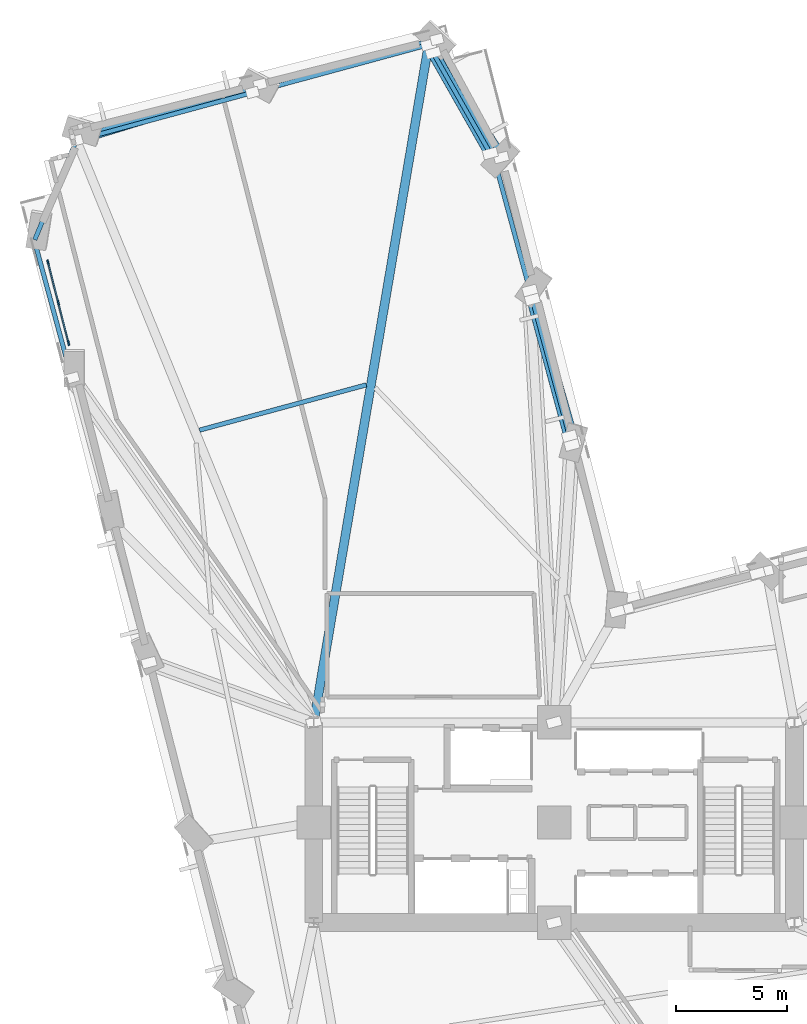
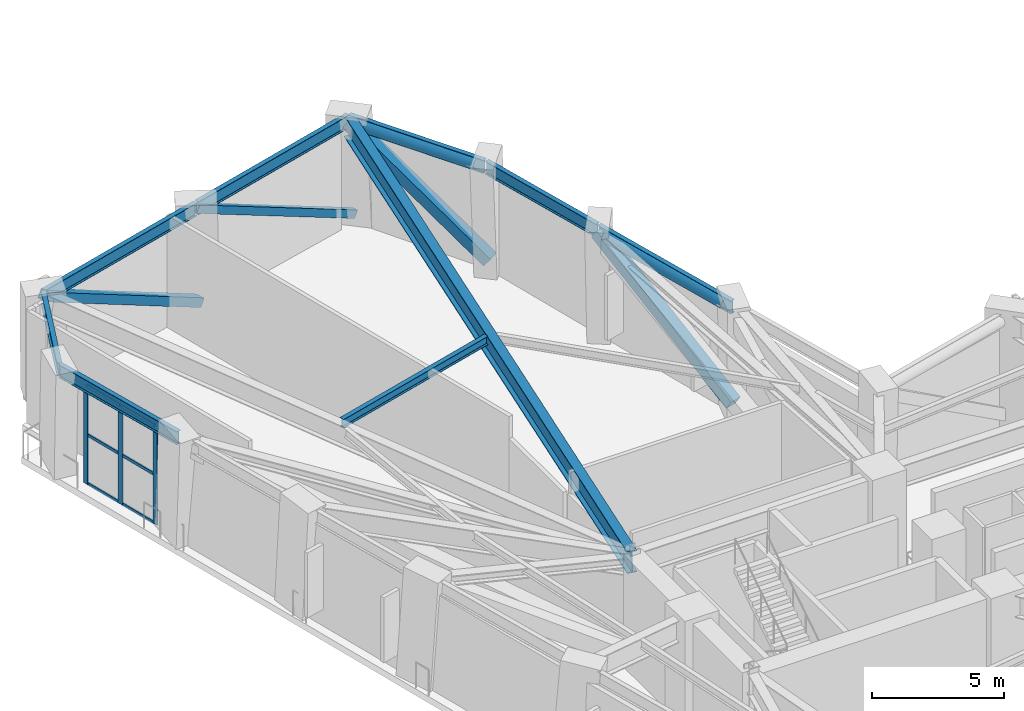
# One storey, part 5 of 17: 15 members, 9 beams, 1 element without a shape of its own.
"""IFC4 building model written with IfcOpenShell, lengths in metres."""

import ifcopenshell
import ifcopenshell.guid

model = None  # the IFC model being written
_history = None  # IfcOwnerHistory: only IFC2X3 demands one
_inside = {}  # id of a spatial element -> (the spatial element, [elements in it])
_under = {}  # id of a project, library or spatial element -> (it, [spatial elements below it])
_declared = {}  # id of a project -> (the project, [libraries it declares])
_typed = {}  # id of a type object -> (the type object, [elements of that type])
_made_of = {}  # id of a material, layer set ... -> (it, [elements and type objects made of it])


def new_model(schema):
    """Start an empty IFC model of exactly this schema.

    Asked for "IFC4X3", IfcOpenShell would pick the latest addendum, in which some entities
    have other attributes; the version numbers below select the first issue.
    IFC2X3 requires an IfcOwnerHistory on every rooted entity: one is made here for all.
    """
    global model, _history
    if schema == "IFC4X3":
        model = ifcopenshell.file(schema_version=(4, 3, 0, 0))
    else:
        model = ifcopenshell.file(schema=schema)
    _inside.clear()
    _under.clear()
    _declared.clear()
    _typed.clear()
    _made_of.clear()
    _history = None
    if model.schema == "IFC2X3":
        org = make("IfcOrganization", Name="unknown")
        user = make(
            "IfcPersonAndOrganization",
            ThePerson=make("IfcPerson", FamilyName="unknown"),
            TheOrganization=org,
        )
        app = make(
            "IfcApplication",
            ApplicationDeveloper=org,
            Version="unknown",
            ApplicationFullName="unknown",
            ApplicationIdentifier="unknown",
        )
        _history = make(
            "IfcOwnerHistory",
            OwningUser=user,
            OwningApplication=app,
            ChangeAction="ADDED",
            CreationDate=0,
        )
    return model


def make(cls, **values):
    """One entity of the class cls with the attributes given. An attribute that is None is left unset."""
    return model.create_entity(
        cls, **{name: value for name, value in values.items() if value is not None}
    )


def rooted(cls, **values):
    """An entity with a GlobalId (a new one), such as an element, a storey or a relation."""
    return make(cls, GlobalId=ifcopenshell.guid.new(), OwnerHistory=_history, **values)


def si_unit(unit_type, name, prefix=None):
    """IfcSIUnit, for example si_unit("LENGTHUNIT", "METRE", prefix="MILLI")."""
    return make("IfcSIUnit", UnitType=unit_type, Prefix=prefix, Name=name)


def assignment(units):
    """IfcUnitAssignment: the units of a project."""
    return None if units is None else make("IfcUnitAssignment", Units=units)


def point(xyz):
    """IfcCartesianPoint."""
    return None if xyz is None else make("IfcCartesianPoint", Coordinates=xyz)


def direction(xyz):
    """IfcDirection."""
    return None if xyz is None else make("IfcDirection", DirectionRatios=xyz)


def frame(location, z_axis=None, x_axis=None):
    """IfcAxis2Placement3D, a coordinate frame: its origin and axes. An axis left out is left unset."""
    return make(
        "IfcAxis2Placement3D",
        Location=point(location),
        Axis=direction(z_axis),
        RefDirection=direction(x_axis),
    )


def frame_2d(location, x_axis=None):
    """IfcAxis2Placement2D, a coordinate frame in the plane: its origin and x axis."""
    return make(
        "IfcAxis2Placement2D", Location=point(location), RefDirection=direction(x_axis)
    )


def origin():
    """The frame at (0, 0, 0) with its axes left unset."""
    return frame((0.0, 0.0, 0.0))


def origin_2d():
    """The frame at (0, 0) in the plane with its x axis left unset."""
    return frame_2d((0.0, 0.0))


def place(relative_to, where):
    """IfcLocalPlacement: puts the frame where relative to a parent placement (None: the world)."""
    return make(
        "IfcLocalPlacement", PlacementRelTo=relative_to, RelativePlacement=where
    )


def context(
    kind, dimensions, precision=None, world=None, true_north=None, identifier=None
):
    """IfcGeometricRepresentationContext, for example the 3D "Model" context."""
    return make(
        "IfcGeometricRepresentationContext",
        ContextIdentifier=identifier,
        ContextType=kind,
        CoordinateSpaceDimension=dimensions,
        Precision=precision,
        WorldCoordinateSystem=world,
        TrueNorth=true_north,
    )


def subcontext(parent, identifier, kind, view, scale=None):
    """IfcGeometricRepresentationSubContext, for example "Body" below "Model"."""
    return make(
        "IfcGeometricRepresentationSubContext",
        ContextIdentifier=identifier,
        ContextType=kind,
        ParentContext=parent,
        TargetScale=scale,
        TargetView=view,
    )


def project(units=None, contexts=None):
    """IfcProject with its units and contexts."""
    return rooted(
        "IfcProject",
        Name="project",
        RepresentationContexts=contexts,
        UnitsInContext=assignment(units),
    )


def spatial(cls, under=None, at=None, **own):
    """A site, building, storey or space (cls), placed at a placement, below another one or the project."""
    s = rooted(cls, ObjectPlacement=at, **own)
    if under is not None:
        _under.setdefault(under.id(), (under, []))[1].append(s)
    return s


def profile(cls, at=None, kind="AREA", **sizes):
    """A parametric profile (cls). Its sizes go by their IFC names, for example OverallWidth=200.0."""
    return make(cls, ProfileType=kind, Position=at, **sizes)


def rectangle(**sizes):
    """IfcRectangleProfileDef."""
    return profile("IfcRectangleProfileDef", **sizes)


def hollow_rectangle(**sizes):
    """IfcRectangleHollowProfileDef."""
    return profile("IfcRectangleHollowProfileDef", **sizes)


def hollow_circle(**sizes):
    """IfcCircleHollowProfileDef."""
    return profile("IfcCircleHollowProfileDef", **sizes)


def i_section(**sizes):
    """IfcIShapeProfileDef."""
    return profile("IfcIShapeProfileDef", **sizes)


def extrude(swept, where, along, depth):
    """IfcExtrudedAreaSolid: the profile swept, set in the frame where, extruded along a direction by depth."""
    return make(
        "IfcExtrudedAreaSolid",
        SweptArea=swept,
        Position=where,
        ExtrudedDirection=direction(along),
        Depth=depth,
    )


def shape(context_of_items, identifier, shape_type, items):
    """IfcShapeRepresentation: the items that make up one representation, for example the "Body"."""
    return make(
        "IfcShapeRepresentation",
        ContextOfItems=context_of_items,
        RepresentationIdentifier=identifier,
        RepresentationType=shape_type,
        Items=items,
    )


def material(Name=None, Category=None):
    """IfcMaterial."""
    return make("IfcMaterial", Name=Name, Category=Category)


def material_profile(
    of_material, cross_section, Name=None, Category=None, Priority=None
):
    """IfcMaterialProfile: a cross section and its material."""
    return make(
        "IfcMaterialProfile",
        Name=Name,
        Material=of_material,
        Profile=cross_section,
        Priority=Priority,
        Category=Category,
    )


def profile_set(profiles, Name=None, composite=None):
    """IfcMaterialProfileSet."""
    return make(
        "IfcMaterialProfileSet",
        Name=Name,
        MaterialProfiles=profiles,
        CompositeProfile=composite,
    )


def made_of(thing, what):
    """Note that an element or type object is made of a material, layer set ...; save() writes the relation."""
    if what is not None:
        _made_of.setdefault(what.id(), (what, []))[1].append(thing)
    return thing


def type_object(cls, material=None, **own):
    """A type object (cls), such as IfcWallType, which elements share."""
    return made_of(rooted(cls, **own), material)


def element(
    cls,
    number,
    at=None,
    inside=None,
    cuts=None,
    type_object=None,
    material=None,
    context=None,
    identifier="Body",
    shape_type=None,
    held_by="IfcProductDefinitionShape",
    body=None,
    shapes=None,
    **own,
):
    """One element of the class cls, such as IfcWall. Its Tag is "e" and its number.

    at: its placement. inside: the storey or other place that contains it. cuts: it is an
    opening in that element (IfcRelVoidsElement). A single representation is given by context,
    identifier, shape_type and body (its items); several are given by shapes. held_by: the class
    of the entity that holds the representations. save() writes the other relations.
    """
    e = rooted(cls, Tag="e%d" % number, ObjectPlacement=at, **own)
    if body is not None:
        shapes = [shape(context, identifier, shape_type, body)]
    if shapes is not None:
        e.Representation = make(held_by, Representations=shapes)
    if inside is not None:
        _inside.setdefault(inside.id(), (inside, []))[1].append(e)
    if cuts is not None:
        rooted(
            "IfcRelVoidsElement", RelatingBuildingElement=cuts, RelatedOpeningElement=e
        )
    if type_object is not None:
        _typed.setdefault(type_object.id(), (type_object, []))[1].append(e)
    return made_of(e, material)


def aggregate(whole, parts):
    """IfcRelAggregates: a whole, such as a stair, and the parts it consists of."""
    return rooted("IfcRelAggregates", RelatingObject=whole, RelatedObjects=parts)


def save(model, path):
    """Write the relations noted so far, then the file.

    IfcRelAggregates (storeys below a building ...), IfcRelContainedInSpatialStructure (elements
    in a storey), IfcRelDefinesByType, IfcRelAssociatesMaterial and IfcRelDeclares: one each for
    every whole, place, type object, material and project.
    """
    for whole, parts in _under.values():
        aggregate(whole, parts)
    for where, things in _inside.values():
        rooted(
            "IfcRelContainedInSpatialStructure",
            RelatedElements=things,
            RelatingStructure=where,
        )
    for kind, things in _typed.values():
        rooted("IfcRelDefinesByType", RelatedObjects=things, RelatingType=kind)
    for what, things in _made_of.values():
        rooted("IfcRelAssociatesMaterial", RelatedObjects=things, RelatingMaterial=what)
    for by, libraries in _declared.values():
        rooted("IfcRelDeclares", RelatingContext=by, RelatedDefinitions=libraries)
    model.write(path)


model = new_model("IFC4")

# Units and contexts
model_context = context("Model", 3, precision=1e-05, world=origin(), true_north=direction((0.0, 1.0)))
body_context = subcontext(model_context, "Body", "Model", "MODEL_VIEW")
ifc_project = project(units=[si_unit("LENGTHUNIT", "METRE"), si_unit("AREAUNIT", "SQUARE_METRE"), si_unit("VOLUMEUNIT", "CUBIC_METRE"), si_unit("PLANEANGLEUNIT", "RADIAN"), si_unit("MASSUNIT", "GRAM", prefix="KILO")], contexts=[model_context])

# Site, building, storey
site_placement = place(None, origin())
site = spatial("IfcSite", under=ifc_project, at=site_placement, CompositionType="ELEMENT")
building_placement = place(site_placement, origin())
building = spatial("IfcBuilding", under=site, at=building_placement, Name="Gaonmaruhae Medical Tower", CompositionType="ELEMENT")
storey_placement = place(building_placement, frame((0.0, 0.0, 83.0)))
storey = spatial("IfcBuildingStorey", under=building, at=storey_placement, Name="L19", CompositionType="ELEMENT", Elevation=83.0)

# Beam
ifc_material_1 = material(Name="Steel SM420", Category="steel")
ifc_material_profile_1 = material_profile(ifc_material_1, i_section(OverallWidth=0.39990234375, OverallDepth=1.0, WebThickness=0.02197265625, FlangeThickness=0.035888671875, at=origin_2d()), Name="BH-1000x400x22x36")
ifc_profile_set_1 = profile_set([ifc_material_profile_1], Name="Steel SM420")
beam_type_1 = type_object("IfcBeamType", Name="BG-02 Refuge Floor Primary Girder (BH-1000x400x22x36)", PredefinedType="BEAM", material=ifc_profile_set_1)
beam_1_placement = place(storey_placement, frame((14.00830078125, 16.849365234375, 4.679931640625), z_axis=(0.167051649418, 0.985948145912, 0.0), x_axis=(-0.985948145912, 0.167051649418, 0.0)))
element("IfcBeam", 1, at=beam_1_placement, inside=storey, type_object=beam_type_1, Name="L19 Radial Primary Girder N01", PredefinedType="BEAM", context=body_context, shape_type="SweptSolid", body=[
    extrude(i_section(OverallWidth=0.39990234375, OverallDepth=1.0, WebThickness=0.02197265625, FlangeThickness=0.035888671875, at=origin_2d()), origin(), (0.0, 0.0, 1.0), 30.782958984375),
])

# Members
ifc_material_2 = material(Name="Steel HSA650 (650 MPa)", Category="steel")
ifc_material_profile_2 = material_profile(ifc_material_2, hollow_circle(Radius=0.25390625, WallThickness=0.01611328125, at=origin_2d()), Name="CHS-508.0x16.0")
ifc_profile_set_2 = profile_set([ifc_material_profile_2], Name="Steel HSA650 (650 MPa)")
member_type_1 = type_object("IfcMemberType", Name="BT-C1 Belt Truss Perimeter Chord (CHS-508.0x16.0)", PredefinedType="CHORD", material=ifc_profile_set_2)
member_1_placement = place(storey_placement, frame((25.490966796875, 29.6640625, 4.830078125), z_axis=(-0.262185062841, 0.965017612701, 0.0), x_axis=(-0.965017612701, -0.262185062841, 0.0)))
element("IfcMember", 2, at=member_1_placement, inside=storey, type_object=member_type_1, Name="L19 Belt Truss Top Chord BTC07", PredefinedType="CHORD", context=body_context, shape_type="SweptSolid", body=[
    extrude(hollow_circle(Radius=0.25390625, WallThickness=0.01611328125, at=origin_2d()), origin(), (0.0, 0.0, 1.0), 6.35986328125),
])
member_2_placement = place(storey_placement, frame((21.932861328125, 42.3623046875, 4.830078125), z_axis=(-0.493664072511, 0.869652679816, 0.0), x_axis=(-0.869652679816, -0.493664072511, 0.0)))
element("IfcMember", 3, at=member_2_placement, inside=storey, type_object=member_type_1, Name="L19 Belt Truss Top Chord BTC08", PredefinedType="CHORD", context=body_context, shape_type="SweptSolid", body=[
    extrude(hollow_circle(Radius=0.25390625, WallThickness=0.01611328125, at=origin_2d()), origin(), (0.0, 0.0, 1.0), 5.19921875),
])
ifc_material_profile_3 = material_profile(ifc_material_2, hollow_rectangle(XDim=0.5, YDim=0.5, WallThickness=0.02197265625, at=origin_2d()), Name="RHS-500x500x22")
ifc_profile_set_3 = profile_set([ifc_material_profile_3], Name="Steel HSA650 (650 MPa)")
member_type_2 = type_object("IfcMemberType", Name="BT-D1 Belt Truss Diagonal Heavy (RHS-500x500x22)", PredefinedType="BRACE", material=ifc_profile_set_3)
member_3_placement = place(storey_placement, frame((25.67626953125, 29.390869140625, 0.35009765625), z_axis=(-0.233976247111, 0.812456326722, 0.53401295205), x_axis=(-0.96094512714, -0.276738979232, 0.0)))
element("IfcMember", 4, at=member_3_placement, inside=storey, type_object=member_type_2, Name="L19 Belt Truss Diagonal BTD07", PredefinedType="BRACE", context=body_context, shape_type="SweptSolid", body=[
    extrude(hollow_rectangle(XDim=0.5, YDim=0.5, WallThickness=0.02197265625, at=origin_2d()), origin(), (0.0, 0.0, 1.0), 8.38916015625),
])
member_4_placement = place(storey_placement, frame((22.427001953125, 42.1845703125, 0.35009765625), z_axis=(-0.435165565168, 0.674366837281, 0.596540274976), x_axis=(-0.840245454613, -0.542206211697, 0.0)))
element("IfcMember", 5, at=member_4_placement, inside=storey, type_object=member_type_2, Name="L19 Belt Truss Diagonal BTD08", PredefinedType="BRACE", context=body_context, shape_type="SweptSolid", body=[
    extrude(hollow_rectangle(XDim=0.5, YDim=0.5, WallThickness=0.02197265625, at=origin_2d()), origin(), (0.0, 0.0, 1.0), 7.510009765625),
])

# Curtain wall, members
ifc_material_3 = material(Name="Anodised aluminium and Low-E double glazing", Category="aluminium")
curtain_wall_type = type_object("IfcCurtainWallType", Name="CW-S2 Express Sky Lobby Feature Curtain Wall", PredefinedType="NOTDEFINED", material=ifc_material_3)
curtain_wall_placement = place(storey_placement, origin())
curtain_wall = element("IfcCurtainWall", 6, at=curtain_wall_placement, inside=storey, type_object=curtain_wall_type, Name="L19 Curtain Wall CW-L19-W01", PredefinedType="NOTDEFINED")
ifc_material_4 = material(Name="Anodised aluminium 6063-T6", Category="aluminium")
ifc_material_profile_4 = material_profile(ifc_material_4, rectangle(XDim=0.074951171875, YDim=0.219970703125, at=origin_2d()), Name="CWM-75x220")
ifc_profile_set_4 = profile_set([ifc_material_profile_4], Name="Anodised aluminium 6063-T6")
member_type_3 = type_object("IfcMemberType", Name="CWM-1 Heavy Atrium Curtain Wall Mullion (CWM-75x220)", PredefinedType="MULLION", material=ifc_profile_set_4)
member_5_placement = place(storey_placement, frame((2.982177734375, 33.84228515625, 0.0), z_axis=(0.0, 0.0, 1.0), x_axis=(-0.969235426145, -0.246135508828, 0.0)))
member_5 = element("IfcMember", 7, at=member_5_placement, type_object=member_type_3, Name="CW-S2 mullion 1", PredefinedType="MULLION", context=body_context, shape_type="SweptSolid", body=[
    extrude(rectangle(XDim=0.074951171875, YDim=0.219970703125, at=origin_2d()), origin(), (0.0, 0.0, 1.0), 4.56494140625),
])
member_6_placement = place(storey_placement, frame((2.52099609375, 35.658203125, 0.0), z_axis=(0.0, 0.0, 1.0), x_axis=(-0.969235426145, -0.246135508828, 0.0)))
member_6 = element("IfcMember", 8, at=member_6_placement, type_object=member_type_3, Name="CW-S2 mullion 2", PredefinedType="MULLION", context=body_context, shape_type="SweptSolid", body=[
    extrude(rectangle(XDim=0.074951171875, YDim=0.219970703125, at=origin_2d()), origin(), (0.0, 0.0, 1.0), 4.56494140625),
])
member_7_placement = place(storey_placement, frame((2.059814453125, 37.473876953125, 0.0), z_axis=(0.0, 0.0, 1.0), x_axis=(-0.969235426145, -0.246135508828, 0.0)))
member_7 = element("IfcMember", 9, at=member_7_placement, type_object=member_type_3, Name="CW-S2 mullion 3", PredefinedType="MULLION", context=body_context, shape_type="SweptSolid", body=[
    extrude(rectangle(XDim=0.074951171875, YDim=0.219970703125, at=origin_2d()), origin(), (0.0, 0.0, 1.0), 4.56494140625),
])
ifc_material_profile_5 = material_profile(ifc_material_4, rectangle(XDim=0.06494140625, YDim=0.139892578125, at=origin_2d()), Name="CWT-65x140")
ifc_profile_set_5 = profile_set([ifc_material_profile_5], Name="Anodised aluminium 6063-T6")
member_type_4 = type_object("IfcMemberType", Name="CWT-2 Tower Feature Curtain Wall Transom (CWT-65x140)", PredefinedType="USERDEFINED", material=ifc_profile_set_5)
member_8_placement = place(storey_placement, frame((2.972900390625, 33.878662109375, 0.032470703125), z_axis=(-0.246111338282, 0.969241563889, 0.0), x_axis=(-0.969241563889, -0.246111338282, 0.0)))
member_8 = element("IfcMember", 10, at=member_8_placement, type_object=member_type_4, Name="CW-S2 transom 1.1", ObjectType="TRANSOM", PredefinedType="USERDEFINED", context=body_context, shape_type="SweptSolid", body=[
    extrude(rectangle(XDim=0.06494140625, YDim=0.139892578125, at=origin_2d()), origin(), (0.0, 0.0, 1.0), 1.798583984375),
])
member_9_placement = place(storey_placement, frame((2.972900390625, 33.878662109375, 2.282470703125), z_axis=(-0.246111338282, 0.969241563889, 0.0), x_axis=(-0.969241563889, -0.246111338282, 0.0)))
member_9 = element("IfcMember", 11, at=member_9_placement, type_object=member_type_4, Name="CW-S2 transom 1.2", ObjectType="TRANSOM", PredefinedType="USERDEFINED", context=body_context, shape_type="SweptSolid", body=[
    extrude(rectangle(XDim=0.06494140625, YDim=0.139892578125, at=origin_2d()), origin(), (0.0, 0.0, 1.0), 1.798583984375),
])
member_10_placement = place(storey_placement, frame((2.972900390625, 33.878662109375, 4.532470703125), z_axis=(-0.246111338282, 0.969241563889, 0.0), x_axis=(-0.969241563889, -0.246111338282, 0.0)))
member_10 = element("IfcMember", 12, at=member_10_placement, type_object=member_type_4, Name="CW-S2 transom 1.3", ObjectType="TRANSOM", PredefinedType="USERDEFINED", context=body_context, shape_type="SweptSolid", body=[
    extrude(rectangle(XDim=0.06494140625, YDim=0.139892578125, at=origin_2d()), origin(), (0.0, 0.0, 1.0), 1.798583984375),
])
member_11_placement = place(storey_placement, frame((2.51171875, 35.694580078125, 0.032470703125), z_axis=(-0.246143723943, 0.969233339895, 0.0), x_axis=(-0.969233339895, -0.246143723943, 0.0)))
member_11 = element("IfcMember", 13, at=member_11_placement, type_object=member_type_4, Name="CW-S2 transom 2.1", ObjectType="TRANSOM", PredefinedType="USERDEFINED", context=body_context, shape_type="SweptSolid", body=[
    extrude(rectangle(XDim=0.06494140625, YDim=0.139892578125, at=origin_2d()), origin(), (0.0, 0.0, 1.0), 1.79833984375),
])
member_12_placement = place(storey_placement, frame((2.51171875, 35.694580078125, 2.282470703125), z_axis=(-0.246143723943, 0.969233339895, 0.0), x_axis=(-0.969233339895, -0.246143723943, 0.0)))
member_12 = element("IfcMember", 14, at=member_12_placement, type_object=member_type_4, Name="CW-S2 transom 2.2", ObjectType="TRANSOM", PredefinedType="USERDEFINED", context=body_context, shape_type="SweptSolid", body=[
    extrude(rectangle(XDim=0.06494140625, YDim=0.139892578125, at=origin_2d()), origin(), (0.0, 0.0, 1.0), 1.79833984375),
])
member_13_placement = place(storey_placement, frame((2.51171875, 35.694580078125, 4.532470703125), z_axis=(-0.246143723943, 0.969233339895, 0.0), x_axis=(-0.969233339895, -0.246143723943, 0.0)))
member_13 = element("IfcMember", 15, at=member_13_placement, type_object=member_type_4, Name="CW-S2 transom 2.3", ObjectType="TRANSOM", PredefinedType="USERDEFINED", context=body_context, shape_type="SweptSolid", body=[
    extrude(rectangle(XDim=0.06494140625, YDim=0.139892578125, at=origin_2d()), origin(), (0.0, 0.0, 1.0), 1.79833984375),
])
aggregate(curtain_wall, [member_5, member_6, member_7, member_8, member_9, member_10, member_11, member_12, member_13])

# Beam
ifc_material_5 = material(Name="Steel SM355", Category="steel")
ifc_material_profile_6 = material_profile(ifc_material_5, i_section(OverallWidth=0.199951171875, OverallDepth=0.39990234375, WebThickness=0.008056640625, FlangeThickness=0.012939453125, FilletRadius=0.012939453125, at=origin_2d()), Name="H-400x200x8x13")
ifc_profile_set_6 = profile_set([ifc_material_profile_6], Name="Steel SM355")
beam_type_2 = type_object("IfcBeamType", Name="FJ-01 Lower Zone Ward Floor Joist (H-400x200x8x13)", PredefinedType="JOIST", material=ifc_profile_set_6)
beam_2_placement = place(storey_placement, frame((16.361083984375, 31.965087890625, 4.97998046875), z_axis=(-0.965020169079, -0.262175653467, 0.0), x_axis=(0.262175653467, -0.965020169079, 0.0)))
element("IfcBeam", 16, at=beam_2_placement, inside=storey, type_object=beam_type_2, Name="L19 Secondary Floor Joist FJ09", PredefinedType="JOIST", context=body_context, shape_type="SweptSolid", body=[
    extrude(i_section(OverallWidth=0.199951171875, OverallDepth=0.39990234375, WebThickness=0.008056640625, FlangeThickness=0.012939453125, FilletRadius=0.012939453125, at=origin_2d()), origin(), (0.0, 0.0, 1.0), 7.766357421875),
])

# Member
ifc_material_profile_7 = material_profile(ifc_material_1, hollow_rectangle(XDim=0.39990234375, YDim=0.39990234375, WallThickness=0.01611328125, at=origin_2d()), Name="RHS-400x400x16")
ifc_profile_set_7 = profile_set([ifc_material_profile_7], Name="Steel SM420")
member_type_5 = type_object("IfcMemberType", Name="PB-01 Perimeter Solid-Bay Tube Brace Lower (RHS-400x400x16)", PredefinedType="BRACE", material=ifc_profile_set_7)
member_14_placement = place(storey_placement, frame((11.58544921875, 45.467041015625, 0.25), z_axis=(-0.840770941917, -0.256504281268, 0.476770151036), x_axis=(0.291804449404, -0.956477999385, 0.0)))
element("IfcMember", 17, at=member_14_placement, inside=storey, type_object=member_type_5, Name="L19 Perimeter Tube Solid-Bay Brace N02-N03", PredefinedType="BRACE", context=body_context, shape_type="SweptSolid", body=[
    extrude(hollow_rectangle(XDim=0.39990234375, YDim=0.39990234375, WallThickness=0.01611328125, at=origin_2d()), origin(), (0.0, 0.0, 1.0), 9.81591796875),
])

# Beams
ifc_material_profile_8 = material_profile(ifc_material_5, i_section(OverallWidth=0.199951171875, OverallDepth=0.60009765625, WebThickness=0.010986328125, FlangeThickness=0.01708984375, FilletRadius=0.012939453125, at=origin_2d()), Name="H-600x200x11x17")
ifc_profile_set_8 = profile_set([ifc_material_profile_8], Name="Steel SM355")
beam_type_3 = type_object("IfcBeamType", Name="SP-01 Lower Perimeter Spandrel Beam (H-600x200x11x17)", PredefinedType="SPANDREL", material=ifc_profile_set_8)
beam_3_placement = place(storey_placement, frame((25.590576171875, 29.29736328125, 4.8798828125), z_axis=(-0.262180113958, 0.965018957247, 0.0), x_axis=(-0.965018957247, -0.262180113958, 0.0)))
element("IfcBeam", 18, at=beam_3_placement, inside=storey, type_object=beam_type_3, Name="L19 Perimeter Spandrel Beam NE01-NE02", PredefinedType="SPANDREL", context=body_context, shape_type="SweptSolid", body=[
    extrude(i_section(OverallWidth=0.199951171875, OverallDepth=0.60009765625, WebThickness=0.010986328125, FlangeThickness=0.01708984375, FilletRadius=0.012939453125, at=origin_2d()), origin(), (0.0, 0.0, 1.0), 7.119873046875),
])
beam_4_placement = place(storey_placement, frame((23.702880859375, 36.24560546875, 4.8798828125), z_axis=(-0.262203031668, 0.965012730581, 0.0), x_axis=(-0.965012730581, -0.262203031668, 0.0)))
element("IfcBeam", 19, at=beam_4_placement, inside=storey, type_object=beam_type_3, Name="L19 Perimeter Spandrel Beam NE02-NE03", PredefinedType="SPANDREL", context=body_context, shape_type="SweptSolid", body=[
    extrude(i_section(OverallWidth=0.199951171875, OverallDepth=0.60009765625, WebThickness=0.010986328125, FlangeThickness=0.01708984375, FilletRadius=0.012939453125, at=origin_2d()), origin(), (0.0, 0.0, 1.0), 5.919921875),
])
beam_5_placement = place(storey_placement, frame((22.12060546875, 42.03173828125, 4.8798828125), z_axis=(-0.493657440826, 0.869656444303, 0.0), x_axis=(-0.869656444303, -0.493657440826, 0.0)))
element("IfcBeam", 20, at=beam_5_placement, inside=storey, type_object=beam_type_3, Name="L19 Perimeter Spandrel Beam NE03-N01", PredefinedType="SPANDREL", context=body_context, shape_type="SweptSolid", body=[
    extrude(i_section(OverallWidth=0.199951171875, OverallDepth=0.60009765625, WebThickness=0.010986328125, FlangeThickness=0.01708984375, FilletRadius=0.012939453125, at=origin_2d()), origin(), (0.0, 0.0, 1.0), 5.95947265625),
])
for number, where, z_axis, x_axis, name in (
    (21, (19.120361328125, 47.238525390625, 4.8798828125), (-0.965018702081, -0.262181053157, 0.0), (0.262181053157, -0.965018702081, 0.0), "L19 Perimeter Spandrel Beam N01-N02"),
    (22, (11.207275390625, 45.088623046875, 4.8798828125), (-0.965018702081, -0.262181053157, 0.0), (0.262181053157, -0.965018702081, 0.0), "L19 Perimeter Spandrel Beam N02-N03"),
):
    element("IfcBeam", number, at=place(storey_placement, frame(where, z_axis=z_axis, x_axis=x_axis)), inside=storey, type_object=beam_type_3, Name=name, PredefinedType="SPANDREL", context=body_context, shape_type="SweptSolid", body=[
        extrude(i_section(OverallWidth=0.199951171875, OverallDepth=0.60009765625, WebThickness=0.010986328125, FlangeThickness=0.01708984375, FilletRadius=0.012939453125, at=origin_2d()), origin(), (0.0, 0.0, 1.0), 8.119873046875),
    ])
beam_6_placement = place(storey_placement, frame((3.317138671875, 42.912353515625, 4.8798828125), z_axis=(-0.386326255312, -0.922362198085, 0.0), x_axis=(0.922362198085, -0.386326255312, 0.0)))
element("IfcBeam", 23, at=beam_6_placement, inside=storey, type_object=beam_type_3, Name="L19 Perimeter Spandrel Beam N03-W01", PredefinedType="SPANDREL", context=body_context, shape_type="SweptSolid", body=[
    extrude(i_section(OverallWidth=0.199951171875, OverallDepth=0.60009765625, WebThickness=0.010986328125, FlangeThickness=0.01708984375, FilletRadius=0.012939453125, at=origin_2d()), origin(), (0.0, 0.0, 1.0), 4.801025390625),
])
beam_7_placement = place(storey_placement, frame((1.45751953125, 38.40869140625, 4.8798828125), z_axis=(0.262182434041, -0.965018326914, 0.0), x_axis=(0.965018326914, 0.262182434041, 0.0)))
element("IfcBeam", 24, at=beam_7_placement, inside=storey, type_object=beam_type_3, Name="L19 Perimeter Spandrel Beam W01-W02", PredefinedType="SPANDREL", context=body_context, shape_type="SweptSolid", body=[
    extrude(i_section(OverallWidth=0.199951171875, OverallDepth=0.60009765625, WebThickness=0.010986328125, FlangeThickness=0.01708984375, FilletRadius=0.012939453125, at=origin_2d()), origin(), (0.0, 0.0, 1.0), 6.320068359375),
])

# Member
ifc_material_profile_9 = material_profile(ifc_material_5, hollow_rectangle(XDim=0.25, YDim=0.35009765625, WallThickness=0.011962890625, at=origin_2d()), Name="RHS-350x250x12")
ifc_profile_set_9 = profile_set([ifc_material_profile_9], Name="Steel SM355")
member_type_6 = type_object("IfcMemberType", Name="ST-M2 Refuge Core Bracing Strut (RHS-350x250x12)", PredefinedType="STRUT", material=ifc_profile_set_9)
member_15_placement = place(storey_placement, frame((19.533203125, 47.4853515625, 0.300048828125), z_axis=(-0.848706113128, -0.244373355419, 0.469019825487), x_axis=(0.276694719221, -0.96095787231, 0.0)))
element("IfcMember", 25, at=member_15_placement, inside=storey, type_object=member_type_6, Name="L19 Refuge Solid-Bay Bracing Strut 2", PredefinedType="STRUT", context=body_context, shape_type="SweptSolid", body=[
    extrude(hollow_rectangle(XDim=0.25, YDim=0.35009765625, WallThickness=0.011962890625, at=origin_2d()), origin(), (0.0, 0.0, 1.0), 9.7646484375),
])

save(model, "model.ifc")
